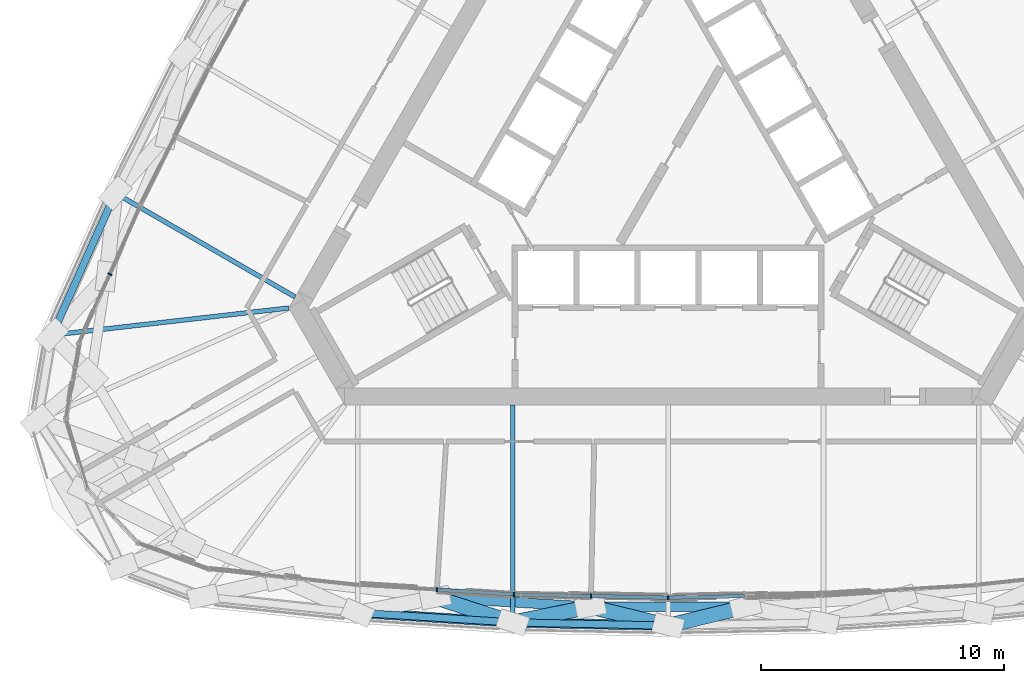
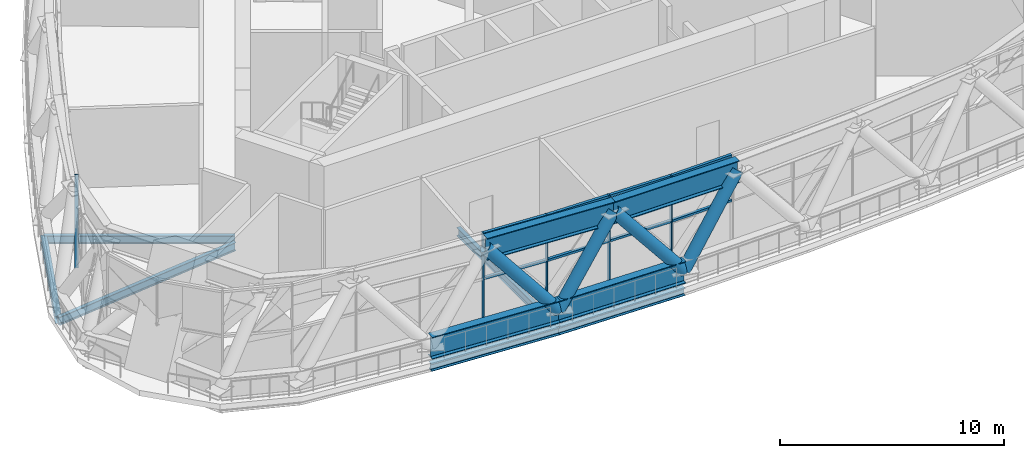
# One storey, part 2 of 33: 21 members, 6 beams, 2 elements without a shape of their own.
"""IFC4 building model written with IfcOpenShell, lengths in metres."""

from ifc_helpers import new_model, si_unit, direction, frame, origin, origin_2d, place, context, subcontext, project, spatial, rectangle, hollow_circle, i_section, extrude, material, material_profile, profile_set, type_object, element, aggregate, save


model = new_model("IFC4")

# Units and contexts
model_context = context("Model", 3, precision=1e-05, world=origin(), true_north=direction((0.0, 1.0)))
body_context = subcontext(model_context, "Body", "Model", "MODEL_VIEW")
ifc_project = project(units=[si_unit("LENGTHUNIT", "METRE"), si_unit("AREAUNIT", "SQUARE_METRE"), si_unit("VOLUMEUNIT", "CUBIC_METRE"), si_unit("PLANEANGLEUNIT", "RADIAN"), si_unit("MASSUNIT", "GRAM", prefix="KILO")], contexts=[model_context])

# Site, building, storey
site_placement = place(None, origin())
site = spatial("IfcSite", under=ifc_project, at=site_placement, CompositionType="ELEMENT")
building_placement = place(site_placement, origin())
building = spatial("IfcBuilding", under=site, at=building_placement, Name="Mestral Congress Tower", CompositionType="ELEMENT")
storey_placement = place(building_placement, frame((0.0, 0.0, 256.199951171875)))
storey = spatial("IfcBuildingStorey", under=building, at=storey_placement, Name="L60", CompositionType="ELEMENT", Elevation=256.199951171875)

# Members
ifc_material_1 = material(Name="Steel S355", Category="steel")
ifc_material_profile_1 = material_profile(ifc_material_1, i_section(OverallWidth=0.39990234375, OverallDepth=1.199951171875, WebThickness=0.02001953125, FlangeThickness=0.0400390625, FilletRadius=0.010009765625, at=origin_2d()), Name="WPG 1200")
ifc_profile_set_1 = profile_set([ifc_material_profile_1], Name="Steel S355")
member_type_1 = type_object("IfcMemberType", Name="Belt chord WPG 1200 S355", PredefinedType="CHORD", material=ifc_profile_set_1)
for number, where, z_axis, x_axis, name in (
    (1, (-12.785400390625, -18.899658203125, 0.60009765625), (0.998062363273, -0.062221531783, 0.0), (0.062221531783, 0.998062363273, 0.0), "MB-L60-BC4-S01"),
    (2, (-6.398193359375, -19.2978515625, 0.60009765625), (0.999784626203, -0.020753342109, 0.0), (0.020753342109, 0.999784626203, 0.0), "MB-L60-BC4-S02"),
):
    element("IfcMember", number, at=place(storey_placement, frame(where, z_axis=z_axis, x_axis=x_axis)), inside=storey, type_object=member_type_1, Name=name, PredefinedType="CHORD", context=body_context, shape_type="SweptSolid", body=[
        extrude(i_section(OverallWidth=0.39990234375, OverallDepth=1.199951171875, WebThickness=0.02001953125, FlangeThickness=0.0400390625, FilletRadius=0.010009765625, at=origin_2d()), origin(), (0.0, 0.0, 1.0), 6.399658203125),
    ])
member_1_placement = place(storey_placement, frame((-9.587158203125, -18.273681640625, 4.5), z_axis=(0.998220413193, -0.059632262109, 0.0), x_axis=(0.059632262109, 0.998220413193, 0.0)))
element("IfcMember", 3, at=member_1_placement, inside=storey, type_object=member_type_1, Name="MB-L60-TC4-S01", PredefinedType="CHORD", context=body_context, shape_type="SweptSolid", body=[
    extrude(i_section(OverallWidth=0.39990234375, OverallDepth=1.199951171875, WebThickness=0.02001953125, FlangeThickness=0.0400390625, FilletRadius=0.010009765625, at=origin_2d()), origin(), (0.0, 0.0, 1.0), 6.399169921875),
])
member_2_placement = place(storey_placement, frame((-3.199462890625, -18.6552734375, 4.5), z_axis=(1.0, 0.0, 0.0), x_axis=(0.0, 1.0, 0.0)))
element("IfcMember", 4, at=member_2_placement, inside=storey, type_object=member_type_1, Name="MB-L60-TC4-S02", PredefinedType="CHORD", context=body_context, shape_type="SweptSolid", body=[
    extrude(i_section(OverallWidth=0.39990234375, OverallDepth=1.199951171875, WebThickness=0.02001953125, FlangeThickness=0.0400390625, FilletRadius=0.010009765625, at=origin_2d()), origin(), (0.0, 0.0, 1.0), 6.39892578125),
])
ifc_material_profile_2 = material_profile(ifc_material_1, hollow_circle(Radius=0.304931640625, WallThickness=0.02490234375, at=origin_2d()), Name="CHS 610x25")
ifc_profile_set_2 = profile_set([ifc_material_profile_2], Name="Steel S355")
member_type_2 = type_object("IfcMemberType", Name="Belt diagonal CHS 610x25 S355", PredefinedType="BRACE", material=ifc_profile_set_2)
member_3_placement = place(storey_placement, frame((-6.398193359375, -19.2978515625, 0.60009765625), z_axis=(-0.620326570133, 0.199224464991, 0.758620167762), x_axis=(-0.305777942447, -0.952102856793, 0.0)))
element("IfcMember", 5, at=member_3_placement, inside=storey, type_object=member_type_2, Name="MD-L60-BD4-S02.S01", PredefinedType="BRACE", context=body_context, shape_type="SweptSolid", body=[
    extrude(hollow_circle(Radius=0.304931640625, WallThickness=0.02490234375, at=origin_2d()), origin(), (0.0, 0.0, 1.0), 5.140869140625),
])
member_4_placement = place(storey_placement, frame((-6.398193359375, -19.2978515625, 0.60009765625), z_axis=(0.629091176494, 0.1263752081, 0.766989959801), x_axis=(-0.196950698516, 0.980413393602, 0.0)))
element("IfcMember", 6, at=member_4_placement, inside=storey, type_object=member_type_2, Name="MD-L60-BD4-S02.S02", PredefinedType="BRACE", context=body_context, shape_type="SweptSolid", body=[
    extrude(hollow_circle(Radius=0.304931640625, WallThickness=0.02490234375, at=origin_2d()), origin(), (0.0, 0.0, 1.0), 5.084716796875),
])
for number, where, z_axis, x_axis, name in (
    (7, (0.0, -19.4306640625, 0.60009765625), (-0.626899549888, 0.151929261385, 0.764142953828), (-0.235532104022, -0.971866569018, 0.0), "MD-L60-BD4-S03.S02"),
    (8, (0.0, -19.4306640625, 0.60009765625), (0.626899549888, 0.151929261385, 0.764142953828), (-0.235532104022, 0.971866569018, 0.0), "MD-L60-BD4-S03.S03"),
):
    element("IfcMember", number, at=place(storey_placement, frame(where, z_axis=z_axis, x_axis=x_axis)), inside=storey, type_object=member_type_2, Name=name, PredefinedType="BRACE", context=body_context, shape_type="SweptSolid", body=[
        extrude(hollow_circle(Radius=0.304931640625, WallThickness=0.02490234375, at=origin_2d()), origin(), (0.0, 0.0, 1.0), 5.103515625),
    ])

# Curtain wall, members
ifc_material_2 = material(Name="Clear low-emissivity double glazing", Category="glass")
curtain_wall_type = type_object("IfcCurtainWallType", Name="Facade refuge band screen", PredefinedType="USERDEFINED", material=ifc_material_2)
placement = place(storey_placement, origin())
curtain_wall_1 = element("IfcCurtainWall", 9, at=placement, inside=storey, type_object=curtain_wall_type, Name="Facade refuge band screen face 1", ObjectType="CURTAIN WALL", PredefinedType="USERDEFINED")
ifc_material_3 = material(Name="Anodised aluminium", Category="aluminium")
ifc_material_profile_3 = material_profile(ifc_material_3, rectangle(XDim=0.179931640625, YDim=0.06005859375, at=origin_2d()), Name="CW3 mullion 180 x 60")
ifc_profile_set_3 = profile_set([ifc_material_profile_3], Name="Anodised aluminium")
member_type_3 = type_object("IfcMemberType", Name="Facade refuge band screen mullion", PredefinedType="MULLION", material=ifc_profile_set_3)
member_5_placement = place(storey_placement, frame((-9.520263671875, -17.950927734375, 0.0), z_axis=(0.0, 0.0, 1.0), x_axis=(-0.062217428964, -0.998062619044, 0.0)))
member_5 = element("IfcMember", 10, at=member_5_placement, type_object=member_type_3, Name="Facade refuge band screen mullion", PredefinedType="MULLION", context=body_context, shape_type="SweptSolid", body=[
    extrude(rectangle(XDim=0.179931640625, YDim=0.06005859375, at=origin_2d()), origin(), (0.0, 0.0, 1.0), 5.10009765625),
])
member_6_placement = place(storey_placement, frame((-6.350341796875, -18.148681640625, 0.0), z_axis=(0.0, 0.0, 1.0), x_axis=(-0.041492015025, -0.999138835542, 0.0)))
member_6 = element("IfcMember", 11, at=member_6_placement, type_object=member_type_3, Name="Facade refuge band screen mullion", PredefinedType="MULLION", context=body_context, shape_type="SweptSolid", body=[
    extrude(rectangle(XDim=0.179931640625, YDim=0.06005859375, at=origin_2d()), origin(), (0.0, 0.0, 1.0), 5.10009765625),
])
member_7_placement = place(storey_placement, frame((-3.17529296875, -18.214599609375, 0.0), z_axis=(0.0, 0.0, 1.0), x_axis=(-0.020750475387, -0.999784685705, 0.0)))
member_7 = element("IfcMember", 12, at=member_7_placement, type_object=member_type_3, Name="Facade refuge band screen mullion", PredefinedType="MULLION", context=body_context, shape_type="SweptSolid", body=[
    extrude(rectangle(XDim=0.179931640625, YDim=0.06005859375, at=origin_2d()), origin(), (0.0, 0.0, 1.0), 5.10009765625),
])
member_8_placement = place(storey_placement, frame((0.0, -18.280517578125, 0.0), z_axis=(0.0, 0.0, 1.0), x_axis=(0.0, -1.0, 0.0)))
member_8 = element("IfcMember", 13, at=member_8_placement, type_object=member_type_3, Name="Facade refuge band screen mullion", PredefinedType="MULLION", context=body_context, shape_type="SweptSolid", body=[
    extrude(rectangle(XDim=0.179931640625, YDim=0.06005859375, at=origin_2d()), origin(), (0.0, 0.0, 1.0), 5.10009765625),
])

# Curtain wall, member
curtain_wall_2 = element("IfcCurtainWall", 14, at=placement, inside=storey, type_object=curtain_wall_type, Name="Facade refuge band screen face 3", ObjectType="CURTAIN WALL", PredefinedType="USERDEFINED")
member_9_placement = place(storey_placement, frame((-22.989501953125, -4.957763671875, 0.0), z_axis=(0.0, 0.0, 1.0), x_axis=(-0.913155309071, 0.407611802473, 0.0)))
member_9 = element("IfcMember", 15, at=member_9_placement, type_object=member_type_3, Name="Facade refuge band screen mullion", PredefinedType="MULLION", context=body_context, shape_type="SweptSolid", body=[
    extrude(rectangle(XDim=0.179931640625, YDim=0.06005859375, at=origin_2d()), origin(), (0.0, 0.0, 1.0), 5.10009765625),
])
aggregate(curtain_wall_2, [member_9])

# Member
ifc_material_profile_4 = material_profile(ifc_material_3, rectangle(XDim=0.14990234375, YDim=0.1201171875, at=origin_2d()), Name="CW3 transom 150 x 120")
ifc_profile_set_4 = profile_set([ifc_material_profile_4], Name="Anodised aluminium")
member_type_4 = type_object("IfcMemberType", Name="Facade refuge band screen transom", PredefinedType="USERDEFINED", material=ifc_profile_set_4)
member_10_placement = place(storey_placement, frame((-9.490234375, -17.952880859375, 2.60009765625), z_axis=(0.998062930494, -0.062212432628, 0.0), x_axis=(0.062212432628, 0.998062930494, 0.0)))
member_10 = element("IfcMember", 16, at=member_10_placement, type_object=member_type_4, Name="Facade refuge band screen transom", ObjectType="TRANSOM", PredefinedType="USERDEFINED", context=body_context, shape_type="SweptSolid", body=[
    extrude(rectangle(XDim=0.14990234375, YDim=0.1201171875, at=origin_2d()), origin(), (0.0, 0.0, 1.0), 3.115966796875),
])

member_11_placement = place(storey_placement, frame((-9.490234375, -17.952880859375, 5.0400390625), z_axis=(0.998062930494, -0.062212432628, 0.0), x_axis=(0.062212432628, 0.998062930494, 0.0)))
member_11 = element("IfcMember", 17, at=member_11_placement, type_object=member_type_4, Name="Facade refuge band screen transom", ObjectType="TRANSOM", PredefinedType="USERDEFINED", context=body_context, shape_type="SweptSolid", body=[
    extrude(rectangle(XDim=0.14990234375, YDim=0.1201171875, at=origin_2d()), origin(), (0.0, 0.0, 1.0), 3.115966796875),
])

member_12_placement = place(storey_placement, frame((-6.3203125, -18.149169921875, 2.60009765625), z_axis=(0.999784414303, -0.020763547789, 0.0), x_axis=(0.020763547789, 0.999784414303, 0.0)))
member_12 = element("IfcMember", 18, at=member_12_placement, type_object=member_type_4, Name="Facade refuge band screen transom", ObjectType="TRANSOM", PredefinedType="USERDEFINED", context=body_context, shape_type="SweptSolid", body=[
    extrude(rectangle(XDim=0.14990234375, YDim=0.1201171875, at=origin_2d()), origin(), (0.0, 0.0, 1.0), 3.115966796875),
])

member_13_placement = place(storey_placement, frame((-6.3203125, -18.149169921875, 5.0400390625), z_axis=(0.999784414303, -0.020763547789, 0.0), x_axis=(0.020763547789, 0.999784414303, 0.0)))
member_13 = element("IfcMember", 19, at=member_13_placement, type_object=member_type_4, Name="Facade refuge band screen transom", ObjectType="TRANSOM", PredefinedType="USERDEFINED", context=body_context, shape_type="SweptSolid", body=[
    extrude(rectangle(XDim=0.14990234375, YDim=0.1201171875, at=origin_2d()), origin(), (0.0, 0.0, 1.0), 3.115966796875),
])

member_14_placement = place(storey_placement, frame((-3.145263671875, -18.215087890625, 2.60009765625), z_axis=(0.999784414303, -0.020763547789, 0.0), x_axis=(0.020763547789, 0.999784414303, 0.0)))
member_14 = element("IfcMember", 20, at=member_14_placement, type_object=member_type_4, Name="Facade refuge band screen transom", ObjectType="TRANSOM", PredefinedType="USERDEFINED", context=body_context, shape_type="SweptSolid", body=[
    extrude(rectangle(XDim=0.14990234375, YDim=0.1201171875, at=origin_2d()), origin(), (0.0, 0.0, 1.0), 3.115966796875),
])

member_15_placement = place(storey_placement, frame((-3.145263671875, -18.215087890625, 5.0400390625), z_axis=(0.999784414303, -0.020763547789, 0.0), x_axis=(0.020763547789, 0.999784414303, 0.0)))
member_15 = element("IfcMember", 21, at=member_15_placement, type_object=member_type_4, Name="Facade refuge band screen transom", ObjectType="TRANSOM", PredefinedType="USERDEFINED", context=body_context, shape_type="SweptSolid", body=[
    extrude(rectangle(XDim=0.14990234375, YDim=0.1201171875, at=origin_2d()), origin(), (0.0, 0.0, 1.0), 3.115966796875),
])

member_16_placement = place(storey_placement, frame((0.030029296875, -18.27978515625, 2.60009765625), z_axis=(0.999784414303, 0.020763547789, 0.0), x_axis=(-0.020763547789, 0.999784414303, 0.0)))
member_16 = element("IfcMember", 22, at=member_16_placement, type_object=member_type_4, Name="Facade refuge band screen transom", ObjectType="TRANSOM", PredefinedType="USERDEFINED", context=body_context, shape_type="SweptSolid", body=[
    extrude(rectangle(XDim=0.14990234375, YDim=0.1201171875, at=origin_2d()), origin(), (0.0, 0.0, 1.0), 3.115966796875),
])

member_17_placement = place(storey_placement, frame((0.030029296875, -18.27978515625, 5.0400390625), z_axis=(0.999784414303, 0.020763547789, 0.0), x_axis=(-0.020763547789, 0.999784414303, 0.0)))
member_17 = element("IfcMember", 23, at=member_17_placement, type_object=member_type_4, Name="Facade refuge band screen transom", ObjectType="TRANSOM", PredefinedType="USERDEFINED", context=body_context, shape_type="SweptSolid", body=[
    extrude(rectangle(XDim=0.14990234375, YDim=0.1201171875, at=origin_2d()), origin(), (0.0, 0.0, 1.0), 3.115966796875),
])

aggregate(curtain_wall_1, [member_5, member_6, member_7, member_8, member_10, member_11, member_12, member_13, member_14, member_15, member_16, member_17])

# Beams
ifc_material_profile_5 = material_profile(ifc_material_1, i_section(OverallWidth=0.18994140625, OverallDepth=0.449951171875, WebThickness=0.009521484375, FlangeThickness=0.0146484375, FilletRadius=0.02099609375, at=origin_2d()), Name="IPE 450")
ifc_profile_set_5 = profile_set([ifc_material_profile_5], Name="Steel S355")
beam_type_1 = type_object("IfcBeamType", Name="Floor beam IPE 450 S355", PredefinedType="BEAM", material=ifc_profile_set_5)
beam_1_placement = place(storey_placement, frame((-6.398193359375, -19.2978515625, -0.52490234375), z_axis=(0.0, 1.0, 0.0), x_axis=(-1.0, 0.0, 0.0)))
element("IfcBeam", 24, at=beam_1_placement, inside=storey, type_object=beam_type_1, Name="BM-L60-RB4-S02", PredefinedType="BEAM", context=body_context, shape_type="SweptSolid", body=[
    extrude(i_section(OverallWidth=0.18994140625, OverallDepth=0.449951171875, WebThickness=0.009521484375, FlangeThickness=0.0146484375, FilletRadius=0.02099609375, at=origin_2d()), origin(), (0.0, 0.0, 1.0), 8.94775390625),
])
beam_2_placement = place(storey_placement, frame((-22.76025390625, -1.62255859375, -0.52490234375), z_axis=(0.866023907196, -0.500002592159, 0.0), x_axis=(0.500002592159, 0.866023907196, 0.0)))
element("IfcBeam", 25, at=beam_2_placement, inside=storey, type_object=beam_type_1, Name="BM-L60-RB4-W05", PredefinedType="BEAM", context=body_context, shape_type="SweptSolid", body=[
    extrude(i_section(OverallWidth=0.18994140625, OverallDepth=0.449951171875, WebThickness=0.009521484375, FlangeThickness=0.0146484375, FilletRadius=0.02099609375, at=origin_2d()), origin(), (0.0, 0.0, 1.0), 8.5498046875),
])
beam_3_placement = place(storey_placement, frame((-25.368896484375, -7.46630859375, -0.52490234375), z_axis=(0.993512774848, 0.113720561966, 0.0), x_axis=(-0.113720561966, 0.993512774848, 0.0)))
element("IfcBeam", 26, at=beam_3_placement, inside=storey, type_object=beam_type_1, Name="BM-L60-RB4-W06", PredefinedType="BEAM", context=body_context, shape_type="SweptSolid", body=[
    extrude(i_section(OverallWidth=0.18994140625, OverallDepth=0.449951171875, WebThickness=0.009521484375, FlangeThickness=0.0146484375, FilletRadius=0.02099609375, at=origin_2d()), origin(), (0.0, 0.0, 1.0), 9.8154296875),
])
ifc_material_profile_6 = material_profile(ifc_material_1, i_section(OverallWidth=0.300048828125, OverallDepth=0.389892578125, WebThickness=0.010986328125, FlangeThickness=0.01904296875, FilletRadius=0.027099609375, at=origin_2d()), Name="HEA 400")
ifc_profile_set_6 = profile_set([ifc_material_profile_6], Name="Steel S355")
beam_type_2 = type_object("IfcBeamType", Name="Spandrel beam HEA 400 S355", PredefinedType="BEAM", material=ifc_profile_set_6)
for number, where, z_axis, x_axis, name in (
    (27, (-12.785400390625, -18.899658203125, -0.494873046875), (0.998062363273, -0.062221531783, 0.0), (0.062221531783, 0.998062363273, 0.0), "SP-L60-SB4-S01"),
    (28, (-6.398193359375, -19.2978515625, -0.494873046875), (0.999784626203, -0.020753342109, 0.0), (0.020753342109, 0.999784626203, 0.0), "SP-L60-SB4-S02"),
    (29, (-22.76025390625, -1.62255859375, -0.494873046875), (-0.407628118889, -0.913148025618, 0.0), (0.913148025618, -0.407628118889, 0.0), "SP-L60-SB4-W05"),
):
    element("IfcBeam", number, at=place(storey_placement, frame(where, z_axis=z_axis, x_axis=x_axis)), inside=storey, type_object=beam_type_2, Name=name, PredefinedType="BEAM", context=body_context, shape_type="SweptSolid", body=[
        extrude(i_section(OverallWidth=0.300048828125, OverallDepth=0.389892578125, WebThickness=0.010986328125, FlangeThickness=0.01904296875, FilletRadius=0.027099609375, at=origin_2d()), origin(), (0.0, 0.0, 1.0), 6.399658203125),
    ])

save(model, "model.ifc")
